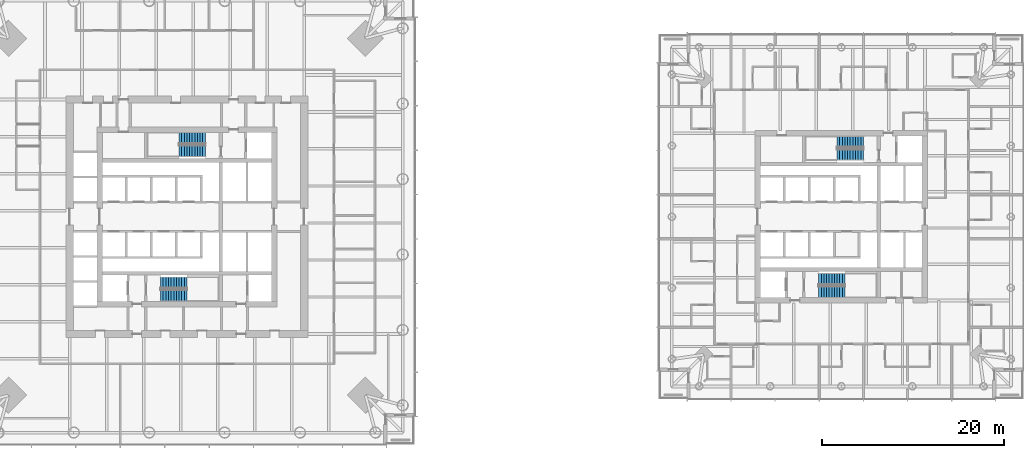
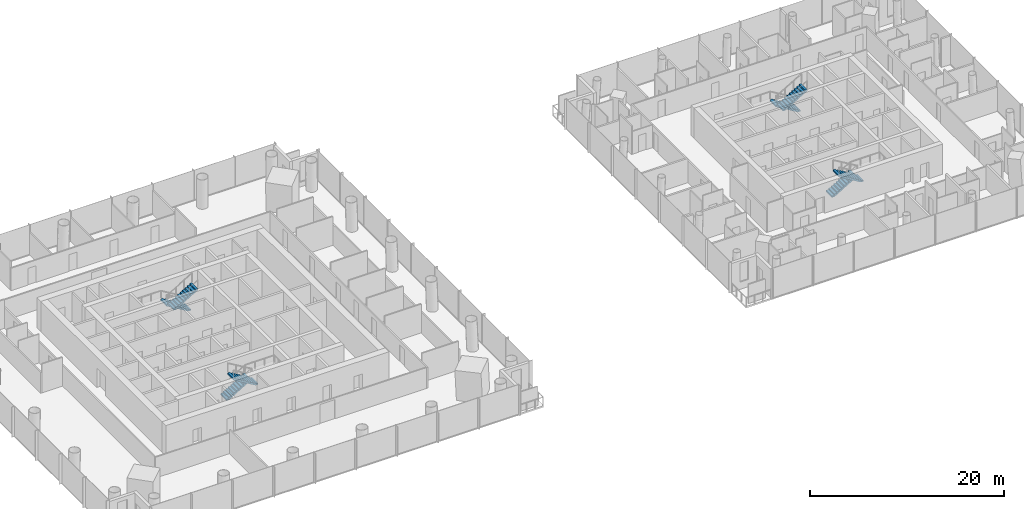
# One storey, part 18 of 20: 8 stair flights, 4 elements without a shape of their own.
"""IFC4 building model written with IfcOpenShell, lengths in metres."""

from ifc_helpers import new_model, si_unit, direction, frame, origin, place, context, subcontext, project, spatial, polyline, outline, extrude, material, type_object, element, aggregate, save


model = new_model("IFC4")

# Units and contexts
model_context = context("Model", 3, precision=1e-05, world=origin(), true_north=direction((0.0, 1.0)))
body_context = subcontext(model_context, "Body", "Model", "MODEL_VIEW")
ifc_project = project(units=[si_unit("LENGTHUNIT", "METRE"), si_unit("AREAUNIT", "SQUARE_METRE"), si_unit("VOLUMEUNIT", "CUBIC_METRE"), si_unit("PLANEANGLEUNIT", "RADIAN"), si_unit("MASSUNIT", "GRAM", prefix="KILO")], contexts=[model_context])

# Site, building, storey
site_placement = place(None, origin())
site = spatial("IfcSite", under=ifc_project, at=site_placement, CompositionType="ELEMENT")
building_placement = place(site_placement, origin())
building = spatial("IfcBuilding", under=site, at=building_placement, Name="Ostroluk Exchange", CompositionType="ELEMENT")
storey_placement = place(building_placement, frame((0.0, 0.0, 28.60009765625)))
storey = spatial("IfcBuildingStorey", under=building, at=storey_placement, Name="L06", CompositionType="ELEMENT", Elevation=28.60009765625)

# Stair, stair flights
ifc_material_1 = material(Name="Concrete C30/37", Category="concrete")
stair_type = type_object("IfcStairType", Name="Exit stair half turn 3800", PredefinedType="HALF_TURN_STAIR", material=ifc_material_1)
stair_1_placement = place(storey_placement, origin())
stair_1 = element("IfcStair", 1, at=stair_1_placement, inside=storey, type_object=stair_type, Name="Stair T1-S1 L06", PredefinedType="HALF_TURN_STAIR")
ifc_material_2 = material(Name="Concrete C30/37", Category="concrete")
stair_flight_type = type_object("IfcStairFlightType", Name="Stair flight 11 risers 172.7 x 290", PredefinedType="STRAIGHT", material=ifc_material_2)
stair_flight_1_placement = place(storey_placement, frame((42.10009765625, 38.77490234375, 0.0), z_axis=(0.0, 0.0, 1.0), x_axis=(1.0, 0.0, 0.0)))
stair_flight_1 = element("IfcStairFlight", 2, at=stair_flight_1_placement, type_object=stair_flight_type, Name="T1-S1 flight 1", NumberOfRisers=11, NumberOfTreads=10, PredefinedType="STRAIGHT", RiserHeight=0.172727273, TreadLength=0.29, context=body_context, shape_type="SweptSolid", body=[
    extrude(outline(polyline([(0.0, 0.0), (0.0, 0.172607421875), (0.2900390625, 0.172607421875), (0.2900390625, 0.345458984375), (0.580078125, 0.345458984375), (0.580078125, 0.51806640625), (0.8701171875, 0.51806640625), (0.8701171875, 0.69091796875), (1.159912109375, 0.69091796875), (1.159912109375, 0.863525390625), (1.449951171875, 0.863525390625), (1.449951171875, 1.036376953125), (1.739990234375, 1.036376953125), (1.739990234375, 1.208984375), (2.030029296875, 1.208984375), (2.030029296875, 1.3818359375), (2.320068359375, 1.3818359375), (2.320068359375, 1.554443359375), (2.610107421875, 1.554443359375), (2.610107421875, 1.727294921875), (2.89990234375, 1.727294921875), (2.89990234375, 1.89990234375), (2.89990234375, 1.552734375), (0.29296875, 0.0), (0.0, 0.0)])), frame((0.0, 0.625, 0.0), z_axis=(0.0, -1.0, 0.0), x_axis=(1.0, 0.0, 0.0)), (0.0, 0.0, 1.0), 1.25),
])
stair_flight_2_placement = place(storey_placement, frame((45.0, 37.324951171875, 1.89990234375), z_axis=(0.0, 0.0, 1.0), x_axis=(-1.0, 0.0, 0.0)))
stair_flight_2 = element("IfcStairFlight", 3, at=stair_flight_2_placement, type_object=stair_flight_type, Name="T1-S1 flight 2", NumberOfRisers=11, NumberOfTreads=10, PredefinedType="STRAIGHT", RiserHeight=0.172727273, TreadLength=0.29, context=body_context, shape_type="SweptSolid", body=[
    extrude(outline(polyline([(0.0, 0.0), (0.0, 0.172607421875), (0.2900390625, 0.172607421875), (0.2900390625, 0.345458984375), (0.580078125, 0.345458984375), (0.580078125, 0.51806640625), (0.8701171875, 0.51806640625), (0.8701171875, 0.69091796875), (1.159912109375, 0.69091796875), (1.159912109375, 0.863525390625), (1.449951171875, 0.863525390625), (1.449951171875, 1.036376953125), (1.739990234375, 1.036376953125), (1.739990234375, 1.208984375), (2.030029296875, 1.208984375), (2.030029296875, 1.3818359375), (2.320068359375, 1.3818359375), (2.320068359375, 1.554443359375), (2.610107421875, 1.554443359375), (2.610107421875, 1.727294921875), (2.89990234375, 1.727294921875), (2.89990234375, 1.89990234375), (2.89990234375, 1.552734375), (0.29296875, 0.0), (0.0, 0.0)])), frame((0.0, 0.625, 0.0), z_axis=(0.0, -1.0, 0.0), x_axis=(1.0, 0.0, 0.0)), (0.0, 0.0, 1.0), 1.25),
])
aggregate(stair_1, [stair_flight_1, stair_flight_2])

stair_2_placement = place(storey_placement, origin())
stair_2 = element("IfcStair", 4, at=stair_2_placement, inside=storey, type_object=stair_type, Name="Stair T1-S2 L06", PredefinedType="HALF_TURN_STAIR")
stair_flight_3_placement = place(storey_placement, frame((47.030029296875, 54.675048828125, 0.0), z_axis=(0.0, 0.0, 1.0), x_axis=(-1.0, 0.0, 0.0)))
stair_flight_3 = element("IfcStairFlight", 5, at=stair_flight_3_placement, type_object=stair_flight_type, Name="T1-S2 flight 1", NumberOfRisers=11, NumberOfTreads=10, PredefinedType="STRAIGHT", RiserHeight=0.172727273, TreadLength=0.29, context=body_context, shape_type="SweptSolid", body=[
    extrude(outline(polyline([(0.0, 0.0), (0.0, 0.172607421875), (0.2900390625, 0.172607421875), (0.2900390625, 0.345458984375), (0.580078125, 0.345458984375), (0.580078125, 0.51806640625), (0.8701171875, 0.51806640625), (0.8701171875, 0.69091796875), (1.159912109375, 0.69091796875), (1.159912109375, 0.863525390625), (1.449951171875, 0.863525390625), (1.449951171875, 1.036376953125), (1.739990234375, 1.036376953125), (1.739990234375, 1.208984375), (2.030029296875, 1.208984375), (2.030029296875, 1.3818359375), (2.320068359375, 1.3818359375), (2.320068359375, 1.554443359375), (2.610107421875, 1.554443359375), (2.610107421875, 1.727294921875), (2.89990234375, 1.727294921875), (2.89990234375, 1.89990234375), (2.89990234375, 1.552734375), (0.29296875, 0.0), (0.0, 0.0)])), frame((0.0, 0.625, 0.0), z_axis=(0.0, -1.0, 0.0), x_axis=(1.0, 0.0, 0.0)), (0.0, 0.0, 1.0), 1.25),
])
stair_flight_4_placement = place(storey_placement, frame((44.1298828125, 53.22509765625, 1.89990234375), z_axis=(0.0, 0.0, 1.0), x_axis=(1.0, 0.0, 0.0)))
stair_flight_4 = element("IfcStairFlight", 6, at=stair_flight_4_placement, type_object=stair_flight_type, Name="T1-S2 flight 2", NumberOfRisers=11, NumberOfTreads=10, PredefinedType="STRAIGHT", RiserHeight=0.172727273, TreadLength=0.29, context=body_context, shape_type="SweptSolid", body=[
    extrude(outline(polyline([(0.0, 0.0), (0.0, 0.172607421875), (0.2900390625, 0.172607421875), (0.2900390625, 0.345458984375), (0.580078125, 0.345458984375), (0.580078125, 0.51806640625), (0.8701171875, 0.51806640625), (0.8701171875, 0.69091796875), (1.159912109375, 0.69091796875), (1.159912109375, 0.863525390625), (1.449951171875, 0.863525390625), (1.449951171875, 1.036376953125), (1.739990234375, 1.036376953125), (1.739990234375, 1.208984375), (2.030029296875, 1.208984375), (2.030029296875, 1.3818359375), (2.320068359375, 1.3818359375), (2.320068359375, 1.554443359375), (2.610107421875, 1.554443359375), (2.610107421875, 1.727294921875), (2.89990234375, 1.727294921875), (2.89990234375, 1.89990234375), (2.89990234375, 1.552734375), (0.29296875, 0.0), (0.0, 0.0)])), frame((0.0, 0.625, 0.0), z_axis=(0.0, -1.0, 0.0), x_axis=(1.0, 0.0, 0.0)), (0.0, 0.0, 1.0), 1.25),
])
aggregate(stair_2, [stair_flight_3, stair_flight_4])

stair_3_placement = place(storey_placement, origin())
stair_3 = element("IfcStair", 7, at=stair_3_placement, inside=storey, type_object=stair_type, Name="Stair T2-S1 L06", PredefinedType="HALF_TURN_STAIR")
stair_flight_5_placement = place(storey_placement, frame((114.5, 39.175048828125, 0.0), z_axis=(0.0, 0.0, 1.0), x_axis=(1.0, 0.0, 0.0)))
stair_flight_5 = element("IfcStairFlight", 8, at=stair_flight_5_placement, type_object=stair_flight_type, Name="T2-S1 flight 1", NumberOfRisers=11, NumberOfTreads=10, PredefinedType="STRAIGHT", RiserHeight=0.172727273, TreadLength=0.29, context=body_context, shape_type="SweptSolid", body=[
    extrude(outline(polyline([(0.0, 0.0), (0.0, 0.172607421875), (0.2900390625, 0.172607421875), (0.2900390625, 0.345458984375), (0.580078125, 0.345458984375), (0.580078125, 0.51806640625), (0.8701171875, 0.51806640625), (0.8701171875, 0.69091796875), (1.159912109375, 0.69091796875), (1.159912109375, 0.863525390625), (1.449951171875, 0.863525390625), (1.449951171875, 1.036376953125), (1.739990234375, 1.036376953125), (1.739990234375, 1.208984375), (2.030029296875, 1.208984375), (2.030029296875, 1.3818359375), (2.320068359375, 1.3818359375), (2.320068359375, 1.554443359375), (2.610107421875, 1.554443359375), (2.610107421875, 1.727294921875), (2.89990234375, 1.727294921875), (2.89990234375, 1.89990234375), (2.89990234375, 1.552734375), (0.29296875, 0.0), (0.0, 0.0)])), frame((0.0, 0.625, 0.0), z_axis=(0.0, -1.0, 0.0), x_axis=(1.0, 0.0, 0.0)), (0.0, 0.0, 1.0), 1.25),
])
stair_flight_6_placement = place(storey_placement, frame((117.39990234375, 37.72509765625, 1.89990234375), z_axis=(0.0, 0.0, 1.0), x_axis=(-1.0, 0.0, 0.0)))
stair_flight_6 = element("IfcStairFlight", 9, at=stair_flight_6_placement, type_object=stair_flight_type, Name="T2-S1 flight 2", NumberOfRisers=11, NumberOfTreads=10, PredefinedType="STRAIGHT", RiserHeight=0.172727273, TreadLength=0.29, context=body_context, shape_type="SweptSolid", body=[
    extrude(outline(polyline([(0.0, 0.0), (0.0, 0.172607421875), (0.2900390625, 0.172607421875), (0.2900390625, 0.345458984375), (0.580078125, 0.345458984375), (0.580078125, 0.51806640625), (0.8701171875, 0.51806640625), (0.8701171875, 0.69091796875), (1.159912109375, 0.69091796875), (1.159912109375, 0.863525390625), (1.449951171875, 0.863525390625), (1.449951171875, 1.036376953125), (1.739990234375, 1.036376953125), (1.739990234375, 1.208984375), (2.030029296875, 1.208984375), (2.030029296875, 1.3818359375), (2.320068359375, 1.3818359375), (2.320068359375, 1.554443359375), (2.610107421875, 1.554443359375), (2.610107421875, 1.727294921875), (2.89990234375, 1.727294921875), (2.89990234375, 1.89990234375), (2.89990234375, 1.552734375), (0.29296875, 0.0), (0.0, 0.0)])), frame((0.0, 0.625, 0.0), z_axis=(0.0, -1.0, 0.0), x_axis=(1.0, 0.0, 0.0)), (0.0, 0.0, 1.0), 1.25),
])
aggregate(stair_3, [stair_flight_5, stair_flight_6])

stair_4_placement = place(storey_placement, origin())
stair_4 = element("IfcStair", 10, at=stair_4_placement, inside=storey, type_object=stair_type, Name="Stair T2-S2 L06", PredefinedType="HALF_TURN_STAIR")
stair_flight_7_placement = place(storey_placement, frame((119.429931640625, 54.27490234375, 0.0), z_axis=(0.0, 0.0, 1.0), x_axis=(-1.0, 0.0, 0.0)))
stair_flight_7 = element("IfcStairFlight", 11, at=stair_flight_7_placement, type_object=stair_flight_type, Name="T2-S2 flight 1", NumberOfRisers=11, NumberOfTreads=10, PredefinedType="STRAIGHT", RiserHeight=0.172727273, TreadLength=0.29, context=body_context, shape_type="SweptSolid", body=[
    extrude(outline(polyline([(0.0, 0.0), (0.0, 0.172607421875), (0.2900390625, 0.172607421875), (0.2900390625, 0.345458984375), (0.580078125, 0.345458984375), (0.580078125, 0.51806640625), (0.8701171875, 0.51806640625), (0.8701171875, 0.69091796875), (1.159912109375, 0.69091796875), (1.159912109375, 0.863525390625), (1.449951171875, 0.863525390625), (1.449951171875, 1.036376953125), (1.739990234375, 1.036376953125), (1.739990234375, 1.208984375), (2.030029296875, 1.208984375), (2.030029296875, 1.3818359375), (2.320068359375, 1.3818359375), (2.320068359375, 1.554443359375), (2.610107421875, 1.554443359375), (2.610107421875, 1.727294921875), (2.89990234375, 1.727294921875), (2.89990234375, 1.89990234375), (2.89990234375, 1.552734375), (0.29296875, 0.0), (0.0, 0.0)])), frame((0.0, 0.625, 0.0), z_axis=(0.0, -1.0, 0.0), x_axis=(1.0, 0.0, 0.0)), (0.0, 0.0, 1.0), 1.25),
])
stair_flight_8_placement = place(storey_placement, frame((116.530029296875, 52.824951171875, 1.89990234375), z_axis=(0.0, 0.0, 1.0), x_axis=(1.0, 0.0, 0.0)))
stair_flight_8 = element("IfcStairFlight", 12, at=stair_flight_8_placement, type_object=stair_flight_type, Name="T2-S2 flight 2", NumberOfRisers=11, NumberOfTreads=10, PredefinedType="STRAIGHT", RiserHeight=0.172727273, TreadLength=0.29, context=body_context, shape_type="SweptSolid", body=[
    extrude(outline(polyline([(0.0, 0.0), (0.0, 0.172607421875), (0.2900390625, 0.172607421875), (0.2900390625, 0.345458984375), (0.580078125, 0.345458984375), (0.580078125, 0.51806640625), (0.8701171875, 0.51806640625), (0.8701171875, 0.69091796875), (1.159912109375, 0.69091796875), (1.159912109375, 0.863525390625), (1.449951171875, 0.863525390625), (1.449951171875, 1.036376953125), (1.739990234375, 1.036376953125), (1.739990234375, 1.208984375), (2.030029296875, 1.208984375), (2.030029296875, 1.3818359375), (2.320068359375, 1.3818359375), (2.320068359375, 1.554443359375), (2.610107421875, 1.554443359375), (2.610107421875, 1.727294921875), (2.89990234375, 1.727294921875), (2.89990234375, 1.89990234375), (2.89990234375, 1.552734375), (0.29296875, 0.0), (0.0, 0.0)])), frame((0.0, 0.625, 0.0), z_axis=(0.0, -1.0, 0.0), x_axis=(1.0, 0.0, 0.0)), (0.0, 0.0, 1.0), 1.25),
])
aggregate(stair_4, [stair_flight_7, stair_flight_8])

save(model, "model.ifc")
